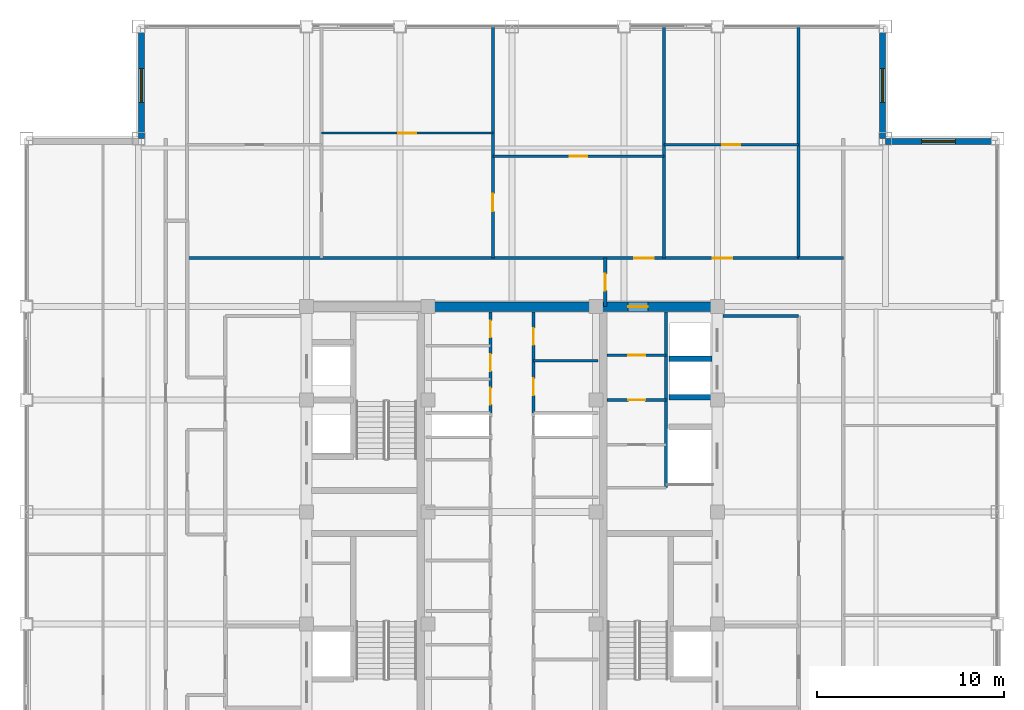
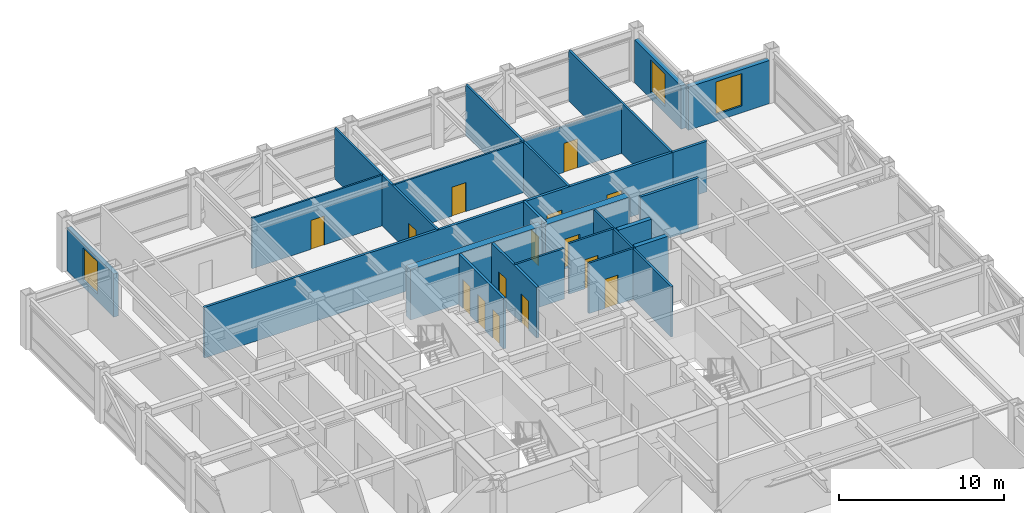
# One storey, part 27 of 29: 23 walls, 15 doors, 3 windows, 18 openings.
"""IFC4 building model written with IfcOpenShell, lengths in metres."""

from ifc_helpers import new_model, si_unit, direction, frame, frame_2d, origin, place, context, subcontext, project, spatial, rectangle, extrude, source, transform, mapped, material, layer, layer_set, type_object, element, fill, save


model = new_model("IFC4")

# Units and contexts
model_context = context("Model", 3, precision=1e-05, world=origin(), true_north=direction((0.0, 1.0)))
body_context = subcontext(model_context, "Body", "Model", "MODEL_VIEW")
ifc_project = project(units=[si_unit("LENGTHUNIT", "METRE"), si_unit("AREAUNIT", "SQUARE_METRE"), si_unit("VOLUMEUNIT", "CUBIC_METRE"), si_unit("PLANEANGLEUNIT", "RADIAN"), si_unit("MASSUNIT", "GRAM", prefix="KILO")], contexts=[model_context])

# Site, building, storey
site_placement = place(None, origin())
site = spatial("IfcSite", under=ifc_project, at=site_placement, CompositionType="ELEMENT")
building_placement = place(site_placement, origin())
building = spatial("IfcBuilding", under=site, at=building_placement, Name="Khorayat Bourse Tower", CompositionType="ELEMENT")
storey_placement = place(building_placement, frame((0.0, 0.0, 358.300048828125)))
storey = spatial("IfcBuildingStorey", under=building, at=storey_placement, Name="L85", CompositionType="ELEMENT", Elevation=358.300048828125)

# Wall, opening, door
ifc_material_1 = material(Name="Concrete C52/65", Category="concrete")
ifc_layer_1 = layer(ifc_material_1, 0.5)
ifc_layer_set_1 = layer_set([ifc_layer_1], Name="Concrete C52/65")
wall_type_1 = type_object("IfcWallType", Name="WAL-CORE-500", PredefinedType="SHEAR", material=ifc_layer_set_1)
shared_shape_1 = source(origin(), body_context, "Body", "SweptSolid", [
    extrude(rectangle(XDim=5.89990234375, YDim=0.5, at=frame_2d((2.949951171875, 0.0))), origin(), (0.0, 0.0, 1.0), 3.739990234375),
])
wall_1_placement = place(storey_placement, frame((4.85009765625, 11.0, 0.0), z_axis=(0.0, 0.0, 1.0), x_axis=(1.0, 0.0, 0.0)))
wall_1 = element("IfcWall", 1, at=wall_1_placement, inside=storey, type_object=wall_type_1, Name="L85 Core Shear Wall PIER-EN", PredefinedType="SHEAR", context=body_context, shape_type="MappedRepresentation", body=[
    mapped(shared_shape_1, transform((0.0, 0.0, 0.0), scale=1.0)),
])
shared_shape_2 = source(origin(), body_context, "Body", "SweptSolid", [
    extrude(rectangle(XDim=1.050048828125, YDim=2.199951171875, at=frame_2d((0.52490234375, 1.10009765625))), frame((0.0, 0.260009765625, 0.0), z_axis=(0.0, -1.0, 0.0), x_axis=(1.0, 0.0, 0.0)), (0.0, 0.0, 1.0), 0.52001953125),
])
opening_1_placement = place(wall_1_placement, frame((1.375, 0.0, 0.0)))
opening_1 = element("IfcOpeningElement", 2, at=opening_1_placement, cuts=wall_1, Name="Opening DI-04", PredefinedType="OPENING", context=body_context, shape_type="MappedRepresentation", body=[
    mapped(shared_shape_2, transform((0.0, 0.0, 0.0), scale=1.0)),
])
ifc_material_2 = material(Name="Fire-rated oak veneer suite entrance door")
door_type_1 = type_object("IfcDoorType", Name="DR-INT-SUITE-1050", OperationType="NOTDEFINED", PredefinedType="DOOR", material=ifc_material_2)
shared_shape_3 = source(origin(), body_context, "Body", "SweptSolid", [
    extrude(rectangle(XDim=1.050048828125, YDim=2.199951171875, at=frame_2d((0.52490234375, 1.10009765625))), frame((0.0, 0.02490234375, 0.0), z_axis=(0.0, -1.0, 0.0), x_axis=(1.0, 0.0, 0.0)), (0.0, 0.0, 1.0), 0.050048828125),
])
door_1_placement = place(opening_1_placement, origin())
door_1 = element("IfcDoor", 3, at=door_1_placement, inside=storey, type_object=door_type_1, Name="L85 Core Washroom Lobby Door", OperationType="SINGLE_SWING_LEFT", OverallHeight=2.199951171875, OverallWidth=1.050048828125, PredefinedType="DOOR", context=body_context, shape_type="MappedRepresentation", body=[
    mapped(shared_shape_3, transform((0.0, 0.0, 0.0), scale=1.0)),
])
fill(opening_1, door_1)

# Wall
shared_shape_4 = source(origin(), body_context, "Body", "SweptSolid", [
    extrude(rectangle(XDim=9.2001953125, YDim=0.5, at=frame_2d((4.60009765625, 0.0))), origin(), (0.0, 0.0, 1.0), 3.739990234375),
])
wall_2_placement = place(storey_placement, frame((-4.60009765625, 11.0, 0.0), z_axis=(0.0, 0.0, 1.0), x_axis=(1.0, 0.0, 0.0)))
element("IfcWall", 4, at=wall_2_placement, inside=storey, type_object=wall_type_1, Name="L85 Core Shear Wall CORE-N", PredefinedType="SHEAR", context=body_context, shape_type="MappedRepresentation", body=[
    mapped(shared_shape_4, transform((0.0, 0.0, 0.0), scale=1.0)),
])

# Wall, opening, window
ifc_material_3 = material(Name="Precast concrete C45/55", Category="concrete")
ifc_layer_2 = layer(ifc_material_3, 0.320068359375)
ifc_layer_set_2 = layer_set([ifc_layer_2], Name="Precast concrete C45/55")
wall_type_2 = type_object("IfcWallType", Name="WAL-EXT-STONE-320", PredefinedType="STANDARD", material=ifc_layer_set_2)
shared_shape_5 = source(origin(), body_context, "Body", "SweptSolid", [
    extrude(rectangle(XDim=5.679931640625, YDim=0.320068359375, at=frame_2d((2.83984375, 0.0))), origin(), (0.0, 0.0, 1.0), 3.19091796875),
])
wall_3_placement = place(storey_placement, frame((20.0, 19.840087890625, 0.0), z_axis=(0.0, 0.0, 1.0), x_axis=(1.0, 0.0, 0.0)))
wall_3 = element("IfcWall", 5, at=wall_3_placement, inside=storey, type_object=wall_type_2, Name="L85 Re-Entrant Notch Limestone Wall NE-H", PredefinedType="STANDARD", context=body_context, shape_type="MappedRepresentation", body=[
    mapped(shared_shape_5, transform((0.0, 0.0, 0.0), scale=1.0)),
])
shared_shape_6 = source(origin(), body_context, "Body", "SweptSolid", [
    extrude(rectangle(XDim=1.800048828125, YDim=2.39990234375, at=frame_2d((0.89990234375, 1.199951171875))), frame((0.0, 0.169921875, 0.0), z_axis=(0.0, -1.0, 0.0), x_axis=(1.0, 0.0, 0.0)), (0.0, 0.0, 1.0), 0.340087890625),
])
opening_2_placement = place(wall_3_placement, frame((1.93994140625, 0.0, 0.5)))
opening_2 = element("IfcOpeningElement", 6, at=opening_2_placement, cuts=wall_3, Name="Opening WN-04", PredefinedType="OPENING", context=body_context, shape_type="MappedRepresentation", body=[
    mapped(shared_shape_6, transform((0.0, 0.0, 0.0), scale=1.0)),
])
ifc_material_4 = material(Name="Low-E acoustic laminated double glazing", Category="glass")
window_type = type_object("IfcWindowType", Name="WIN-NOTCH-1800x2400", PartitioningType="SINGLE_PANEL", PredefinedType="WINDOW", material=ifc_material_4)
shared_shape_7 = source(origin(), body_context, "Body", "SweptSolid", [
    extrude(rectangle(XDim=1.800048828125, YDim=2.39990234375, at=frame_2d((0.89990234375, 1.199951171875))), frame((0.0, 0.030029296875, 0.0), z_axis=(0.0, -1.0, 0.0), x_axis=(1.0, 0.0, 0.0)), (0.0, 0.0, 1.0), 0.06005859375),
])
window_1_placement = place(opening_2_placement, origin())
window_1 = element("IfcWindow", 7, at=window_1_placement, inside=storey, type_object=window_type, Name="L85 Facade Window 1", OverallHeight=2.39990234375, OverallWidth=1.800048828125, PartitioningType="SINGLE_PANEL", PredefinedType="WINDOW", context=body_context, shape_type="MappedRepresentation", body=[
    mapped(shared_shape_7, transform((0.0, 0.0, 0.0), scale=1.0)),
])
fill(opening_2, window_1)

wall_4_placement = place(storey_placement, frame((19.840087890625, 20.0, 0.0), z_axis=(0.0, 0.0, 1.0), x_axis=(0.0, 1.0, 0.0)))
wall_4 = element("IfcWall", 8, at=wall_4_placement, inside=storey, type_object=wall_type_2, Name="L85 Re-Entrant Notch Limestone Wall NE-V", PredefinedType="STANDARD", context=body_context, shape_type="MappedRepresentation", body=[
    mapped(shared_shape_5, transform((0.0, 0.0, 0.0), scale=1.0)),
])
opening_3_placement = place(wall_4_placement, frame((1.93994140625, 0.0, 0.5)))
opening_3 = element("IfcOpeningElement", 9, at=opening_3_placement, cuts=wall_4, Name="Opening WN-04", PredefinedType="OPENING", context=body_context, shape_type="MappedRepresentation", body=[
    mapped(shared_shape_6, transform((0.0, 0.0, 0.0), scale=1.0)),
])
window_2_placement = place(opening_3_placement, origin())
window_2 = element("IfcWindow", 10, at=window_2_placement, inside=storey, type_object=window_type, Name="L85 Facade Window 1", OverallHeight=2.39990234375, OverallWidth=1.800048828125, PartitioningType="SINGLE_PANEL", PredefinedType="WINDOW", context=body_context, shape_type="MappedRepresentation", body=[
    mapped(shared_shape_7, transform((0.0, 0.0, 0.0), scale=1.0)),
])
fill(opening_3, window_2)

wall_5_placement = place(storey_placement, frame((-19.840087890625, 20.0, 0.0), z_axis=(0.0, 0.0, 1.0), x_axis=(0.0, 1.0, 0.0)))
wall_5 = element("IfcWall", 11, at=wall_5_placement, inside=storey, type_object=wall_type_2, Name="L85 Re-Entrant Notch Limestone Wall NW-V", PredefinedType="STANDARD", context=body_context, shape_type="MappedRepresentation", body=[
    mapped(shared_shape_5, transform((0.0, 0.0, 0.0), scale=1.0)),
])
opening_4_placement = place(wall_5_placement, frame((1.93994140625, 0.0, 0.5)))
opening_4 = element("IfcOpeningElement", 12, at=opening_4_placement, cuts=wall_5, Name="Opening WN-04", PredefinedType="OPENING", context=body_context, shape_type="MappedRepresentation", body=[
    mapped(shared_shape_6, transform((0.0, 0.0, 0.0), scale=1.0)),
])
window_3_placement = place(opening_4_placement, origin())
window_3 = element("IfcWindow", 13, at=window_3_placement, inside=storey, type_object=window_type, Name="L85 Facade Window 1", OverallHeight=2.39990234375, OverallWidth=1.800048828125, PartitioningType="SINGLE_PANEL", PredefinedType="WINDOW", context=body_context, shape_type="MappedRepresentation", body=[
    mapped(shared_shape_7, transform((0.0, 0.0, 0.0), scale=1.0)),
])
fill(opening_4, window_3)

# Walls
ifc_material_5 = material(Name="Concrete C50/60", Category="concrete")
ifc_layer_3 = layer(ifc_material_5, 0.300048828125)
ifc_layer_set_3 = layer_set([ifc_layer_3], Name="Concrete C50/60")
wall_type_3 = type_object("IfcWallType", Name="WAL-SHAFT-300", PredefinedType="SHEAR", material=ifc_layer_set_3)
shared_shape_8 = source(origin(), body_context, "Body", "SweptSolid", [
    extrude(rectangle(XDim=2.300048828125, YDim=0.300048828125, at=frame_2d((1.14990234375, 0.0))), origin(), (0.0, 0.0, 1.0), 3.739990234375),
])
for number, where, z_axis, x_axis, name in (
    (14, (8.39990234375, 6.14990234375, 0.0), (0.0, 0.0, 1.0), (1.0, 0.0, 0.0), "L85 Partition WAL-L85-EPIER-H3S"),
    (15, (8.39990234375, 8.199951171875, 0.0), (0.0, 0.0, 1.0), (1.0, 0.0, 0.0), "L85 Partition WAL-L85-EPIER-H34"),
):
    element("IfcWall", number, at=place(storey_placement, frame(where, z_axis=z_axis, x_axis=x_axis)), inside=storey, type_object=wall_type_3, Name=name, PredefinedType="SHEAR", context=body_context, shape_type="MappedRepresentation", body=[
        mapped(shared_shape_8, transform((0.0, 0.0, 0.0), scale=1.0)),
    ])
ifc_material_6 = material(Name="Moisture-resistant masonry partition", Category="masonry")
ifc_layer_4 = layer(ifc_material_6, 0.139892578125)
ifc_layer_set_4 = layer_set([ifc_layer_4], Name="Moisture-resistant masonry partition")
wall_type_4 = type_object("IfcWallType", Name="WAL-PART-WET-140", PredefinedType="PARTITIONING", material=ifc_layer_set_4)
shared_shape_9 = source(origin(), body_context, "Body", "SweptSolid", [
    extrude(rectangle(XDim=9.39990234375, YDim=0.139892578125, at=frame_2d((4.699951171875, 0.0))), origin(), (0.0, 0.0, 1.0), 3.739990234375),
])
wall_6_placement = place(storey_placement, frame((8.25, 1.300048828125, 0.0), z_axis=(0.0, 0.0, 1.0), x_axis=(0.0, 1.0, 0.0)))
element("IfcWall", 16, at=wall_6_placement, inside=storey, type_object=wall_type_4, Name="L85 Partition WAL-L85-ECORE-E", PredefinedType="PARTITIONING", context=body_context, shape_type="MappedRepresentation", body=[
    mapped(shared_shape_9, transform((0.0, 0.0, 0.0), scale=1.0)),
])

# Wall, opening, door
shared_shape_10 = source(origin(), body_context, "Body", "SweptSolid", [
    extrude(rectangle(XDim=3.14990234375, YDim=0.139892578125, at=frame_2d((1.574951171875, 0.0))), origin(), (0.0, 0.0, 1.0), 3.739990234375),
])
wall_7_placement = place(storey_placement, frame((5.10009765625, 8.39990234375, 0.0), z_axis=(0.0, 0.0, 1.0), x_axis=(1.0, 0.0, 0.0)))
wall_7 = element("IfcWall", 17, at=wall_7_placement, inside=storey, type_object=wall_type_4, Name="L85 Partition WAL-L85-ECW-TOP", PredefinedType="PARTITIONING", context=body_context, shape_type="MappedRepresentation", body=[
    mapped(shared_shape_10, transform((0.0, 0.0, 0.0), scale=1.0)),
])
shared_shape_11 = source(origin(), body_context, "Body", "SweptSolid", [
    extrude(rectangle(XDim=0.89990234375, YDim=2.14990234375, at=frame_2d((0.449951171875, 1.074951171875))), frame((0.0, 0.079833984375, 0.0), z_axis=(0.0, -1.0, 0.0), x_axis=(1.0, 0.0, 0.0)), (0.0, 0.0, 1.0), 0.159912109375),
])
opening_5_placement = place(wall_7_placement, frame((1.1298828125, 0.0, 0.0)))
opening_5 = element("IfcOpeningElement", 18, at=opening_5_placement, cuts=wall_7, Name="Opening DI-06", PredefinedType="OPENING", context=body_context, shape_type="MappedRepresentation", body=[
    mapped(shared_shape_11, transform((0.0, 0.0, 0.0), scale=1.0)),
])
ifc_material_7 = material(Name="Moisture-resistant laminate washroom door")
door_type_2 = type_object("IfcDoorType", Name="DR-INT-WC-900", OperationType="NOTDEFINED", PredefinedType="DOOR", material=ifc_material_7)
shared_shape_12 = source(origin(), body_context, "Body", "SweptSolid", [
    extrude(rectangle(XDim=0.89990234375, YDim=2.14990234375, at=frame_2d((0.449951171875, 1.074951171875))), frame((0.0, 0.02490234375, 0.0), z_axis=(0.0, -1.0, 0.0), x_axis=(1.0, 0.0, 0.0)), (0.0, 0.0, 1.0), 0.050048828125),
])
door_2_placement = place(opening_5_placement, origin())
door_2 = element("IfcDoor", 19, at=door_2_placement, inside=storey, type_object=door_type_2, Name="L85 Accessible WC Door", OperationType="SINGLE_SWING_LEFT", OverallHeight=2.14990234375, OverallWidth=0.89990234375, PredefinedType="DOOR", context=body_context, shape_type="MappedRepresentation", body=[
    mapped(shared_shape_12, transform((0.0, 0.0, 0.0), scale=1.0)),
])
fill(opening_5, door_2)

wall_8_placement = place(storey_placement, frame((5.10009765625, 6.0, 0.0), z_axis=(0.0, 0.0, 1.0), x_axis=(1.0, 0.0, 0.0)))
wall_8 = element("IfcWall", 20, at=wall_8_placement, inside=storey, type_object=wall_type_4, Name="L85 Partition WAL-L85-ECW-H1", PredefinedType="PARTITIONING", context=body_context, shape_type="MappedRepresentation", body=[
    mapped(shared_shape_10, transform((0.0, 0.0, 0.0), scale=1.0)),
])
opening_6_placement = place(wall_8_placement, frame((1.1298828125, 0.0, 0.0)))
opening_6 = element("IfcOpeningElement", 21, at=opening_6_placement, cuts=wall_8, Name="Opening DI-06", PredefinedType="OPENING", context=body_context, shape_type="MappedRepresentation", body=[
    mapped(shared_shape_11, transform((0.0, 0.0, 0.0), scale=1.0)),
])
door_3_placement = place(opening_6_placement, origin())
door_3 = element("IfcDoor", 22, at=door_3_placement, inside=storey, type_object=door_type_2, Name="L85 Shared Washroom Door", OperationType="SINGLE_SWING_RIGHT", OverallHeight=2.14990234375, OverallWidth=0.89990234375, PredefinedType="DOOR", context=body_context, shape_type="MappedRepresentation", body=[
    mapped(shared_shape_12, transform((0.0, 0.0, 0.0), scale=1.0)),
])
fill(opening_6, door_3)

# Walls
ifc_material_8 = material(Name="Gypsum plasterboard acoustic stud wall")
ifc_layer_5 = layer(ifc_material_8, 0.179931640625)
ifc_layer_set_5 = layer_set([ifc_layer_5], Name="Gypsum plasterboard acoustic stud wall")
wall_type_5 = type_object("IfcWallType", Name="WAL-PART-CORR-180", PredefinedType="PARTITIONING", material=ifc_layer_set_5)
shared_shape_13 = source(origin(), body_context, "Body", "SweptSolid", [
    extrude(rectangle(XDim=4.050048828125, YDim=0.179931640625, at=frame_2d((2.02490234375, 0.0))), origin(), (0.0, 0.0, 1.0), 3.739990234375),
])
wall_9_placement = place(storey_placement, frame((11.300048828125, 10.5, 0.0), z_axis=(0.0, 0.0, 1.0), x_axis=(1.0, 0.0, 0.0)))
element("IfcWall", 23, at=wall_9_placement, inside=storey, type_object=wall_type_5, Name="L85 Partition WAL-L85-ELOB-N", PredefinedType="PARTITIONING", context=body_context, shape_type="MappedRepresentation", body=[
    mapped(shared_shape_13, transform((0.0, 0.0, 0.0), scale=1.0)),
])
shared_shape_14 = source(origin(), body_context, "Body", "SweptSolid", [
    extrude(rectangle(XDim=3.4501953125, YDim=0.139892578125, at=frame_2d((1.72509765625, 0.0))), origin(), (0.0, 0.0, 1.0), 3.739990234375),
])
wall_10_placement = place(storey_placement, frame((1.14990234375, 8.10009765625, 0.0), z_axis=(0.0, 0.0, 1.0), x_axis=(1.0, 0.0, 0.0)))
element("IfcWall", 24, at=wall_10_placement, inside=storey, type_object=wall_type_4, Name="L85 Partition WAL-L85-FB2E-D1", PredefinedType="PARTITIONING", context=body_context, shape_type="MappedRepresentation", body=[
    mapped(shared_shape_14, transform((0.0, 0.0, 0.0), scale=1.0)),
])

# Wall, openings, doors
shared_shape_15 = source(origin(), body_context, "Body", "SweptSolid", [
    extrude(rectangle(XDim=5.39990234375, YDim=0.179931640625, at=frame_2d((2.699951171875, 0.0))), origin(), (0.0, 0.0, 1.0), 3.739990234375),
])
wall_11_placement = place(storey_placement, frame((-1.14990234375, 5.300048828125, 0.0), z_axis=(0.0, 0.0, 1.0), x_axis=(0.0, 1.0, 0.0)))
wall_11 = element("IfcWall", 25, at=wall_11_placement, inside=storey, type_object=wall_type_5, Name="L85 Partition WAL-L85-FB2W-L", PredefinedType="PARTITIONING", context=body_context, shape_type="MappedRepresentation", body=[
    mapped(shared_shape_15, transform((0.0, 0.0, 0.0), scale=1.0)),
])
shared_shape_16 = source(origin(), body_context, "Body", "SweptSolid", [
    extrude(rectangle(XDim=0.89990234375, YDim=2.14990234375, at=frame_2d((0.449951171875, 1.074951171875))), frame((0.0, 0.099853515625, 0.0), z_axis=(0.0, -1.0, 0.0), x_axis=(1.0, 0.0, 0.0)), (0.0, 0.0, 1.0), 0.199951171875),
])
opening_7_placement = place(wall_11_placement, frame((0.449951171875, 0.0, 0.0)))
opening_7 = element("IfcOpeningElement", 26, at=opening_7_placement, cuts=wall_11, Name="Opening DI-06", PredefinedType="OPENING", context=body_context, shape_type="MappedRepresentation", body=[
    mapped(shared_shape_16, transform((0.0, 0.0, 0.0), scale=1.0)),
])
opening_8_placement = place(wall_11_placement, frame((2.25, 0.0, 0.0)))
opening_8 = element("IfcOpeningElement", 27, at=opening_8_placement, cuts=wall_11, Name="Opening DI-06", PredefinedType="OPENING", context=body_context, shape_type="MappedRepresentation", body=[
    mapped(shared_shape_16, transform((0.0, 0.0, 0.0), scale=1.0)),
])
opening_9_placement = place(wall_11_placement, frame((4.050048828125, 0.0, 0.0)))
opening_9 = element("IfcOpeningElement", 28, at=opening_9_placement, cuts=wall_11, Name="Opening DI-06", PredefinedType="OPENING", context=body_context, shape_type="MappedRepresentation", body=[
    mapped(shared_shape_16, transform((0.0, 0.0, 0.0), scale=1.0)),
])
door_4_placement = place(opening_7_placement, origin())
door_4 = element("IfcDoor", 29, at=door_4_placement, inside=storey, type_object=door_type_2, Name="L85 Custody Vault A Door", OperationType="SINGLE_SWING_RIGHT", OverallHeight=2.14990234375, OverallWidth=0.89990234375, PredefinedType="DOOR", context=body_context, shape_type="MappedRepresentation", body=[
    mapped(shared_shape_12, transform((0.0, 0.0, 0.0), scale=1.0)),
])
fill(opening_7, door_4)
door_5_placement = place(opening_8_placement, origin())
door_5 = element("IfcDoor", 30, at=door_5_placement, inside=storey, type_object=door_type_2, Name="L85 Fiber Patch Room Door", OperationType="SINGLE_SWING_LEFT", OverallHeight=2.14990234375, OverallWidth=0.89990234375, PredefinedType="DOOR", context=body_context, shape_type="MappedRepresentation", body=[
    mapped(shared_shape_12, transform((0.0, 0.0, 0.0), scale=1.0)),
])
fill(opening_8, door_5)
door_6_placement = place(opening_9_placement, origin())
door_6 = element("IfcDoor", 31, at=door_6_placement, inside=storey, type_object=door_type_2, Name="L85 Custody Vault B Door", OperationType="SINGLE_SWING_RIGHT", OverallHeight=2.14990234375, OverallWidth=0.89990234375, PredefinedType="DOOR", context=body_context, shape_type="MappedRepresentation", body=[
    mapped(shared_shape_12, transform((0.0, 0.0, 0.0), scale=1.0)),
])
fill(opening_9, door_6)

wall_12_placement = place(storey_placement, frame((1.14990234375, 5.300048828125, 0.0), z_axis=(0.0, 0.0, 1.0), x_axis=(0.0, 1.0, 0.0)))
wall_12 = element("IfcWall", 32, at=wall_12_placement, inside=storey, type_object=wall_type_5, Name="L85 Partition WAL-L85-FB2E-L", PredefinedType="PARTITIONING", context=body_context, shape_type="MappedRepresentation", body=[
    mapped(shared_shape_15, transform((0.0, 0.0, 0.0), scale=1.0)),
])
opening_10_placement = place(wall_12_placement, frame((0.949951171875, 0.0, 0.0)))
opening_10 = element("IfcOpeningElement", 33, at=opening_10_placement, cuts=wall_12, Name="Opening DI-06", PredefinedType="OPENING", context=body_context, shape_type="MappedRepresentation", body=[
    mapped(shared_shape_16, transform((0.0, 0.0, 0.0), scale=1.0)),
])
opening_11_placement = place(wall_12_placement, frame((3.64990234375, 0.0, 0.0)))
opening_11 = element("IfcOpeningElement", 34, at=opening_11_placement, cuts=wall_12, Name="Opening DI-06", PredefinedType="OPENING", context=body_context, shape_type="MappedRepresentation", body=[
    mapped(shared_shape_16, transform((0.0, 0.0, 0.0), scale=1.0)),
])
door_7_placement = place(opening_10_placement, origin())
door_7 = element("IfcDoor", 35, at=door_7_placement, inside=storey, type_object=door_type_2, Name="L85 Core Pantry Store Door", OperationType="SINGLE_SWING_RIGHT", OverallHeight=2.14990234375, OverallWidth=0.89990234375, PredefinedType="DOOR", context=body_context, shape_type="MappedRepresentation", body=[
    mapped(shared_shape_12, transform((0.0, 0.0, 0.0), scale=1.0)),
])
fill(opening_10, door_7)
door_8_placement = place(opening_11_placement, origin())
door_8 = element("IfcDoor", 36, at=door_8_placement, inside=storey, type_object=door_type_2, Name="L85 Chilled Riser Room Door", OperationType="SINGLE_SWING_LEFT", OverallHeight=2.14990234375, OverallWidth=0.89990234375, PredefinedType="DOOR", context=body_context, shape_type="MappedRepresentation", body=[
    mapped(shared_shape_12, transform((0.0, 0.0, 0.0), scale=1.0)),
])
fill(opening_11, door_8)

# Wall, opening, door
shared_shape_17 = source(origin(), body_context, "Body", "SweptSolid", [
    extrude(rectangle(XDim=2.60009765625, YDim=0.179931640625, at=frame_2d((1.300048828125, 0.0))), origin(), (0.0, 0.0, 1.0), 3.739990234375),
])
wall_13_placement = place(storey_placement, frame((5.0, 11.0, 0.0), z_axis=(0.0, 0.0, 1.0), x_axis=(0.0, 1.0, 0.0)))
wall_13 = element("IfcWall", 37, at=wall_13_placement, inside=storey, type_object=wall_type_5, Name="L85 Partition WAL-L85-CORRNE-W", PredefinedType="PARTITIONING", context=body_context, shape_type="MappedRepresentation", body=[
    mapped(shared_shape_17, transform((0.0, 0.0, 0.0), scale=1.0)),
])
opening_12_placement = place(wall_13_placement, frame((0.85009765625, 0.0, 0.0)))
opening_12 = element("IfcOpeningElement", 38, at=opening_12_placement, cuts=wall_13, Name="Opening DI-06", PredefinedType="OPENING", context=body_context, shape_type="MappedRepresentation", body=[
    mapped(shared_shape_16, transform((0.0, 0.0, 0.0), scale=1.0)),
])
door_9_placement = place(opening_12_placement, origin())
door_9 = element("IfcDoor", 39, at=door_9_placement, inside=storey, type_object=door_type_2, Name="L85 North Core Pantry Door", OperationType="SINGLE_SWING_LEFT", OverallHeight=2.14990234375, OverallWidth=0.89990234375, PredefinedType="DOOR", context=body_context, shape_type="MappedRepresentation", body=[
    mapped(shared_shape_12, transform((0.0, 0.0, 0.0), scale=1.0)),
])
fill(opening_12, door_9)

# Wall
shared_shape_18 = source(origin(), body_context, "Body", "SweptSolid", [
    extrude(rectangle(XDim=2.39990234375, YDim=0.179931640625, at=frame_2d((1.199951171875, 0.0))), origin(), (0.0, 0.0, 1.0), 3.739990234375),
])
wall_14_placement = place(storey_placement, frame((15.35009765625, 13.60009765625, 0.0), z_axis=(0.0, 0.0, 1.0), x_axis=(1.0, 0.0, 0.0)))
element("IfcWall", 40, at=wall_14_placement, inside=storey, type_object=wall_type_5, Name="L85 Partition WAL-L85-GALE-N", PredefinedType="PARTITIONING", context=body_context, shape_type="MappedRepresentation", body=[
    mapped(shared_shape_18, transform((0.0, 0.0, 0.0), scale=1.0)),
])

# Wall, opening, door
ifc_material_9 = material(Name="Gypsum plasterboard twin-frame partition")
ifc_layer_6 = layer(ifc_material_9, 0.14990234375)
ifc_layer_set_6 = layer_set([ifc_layer_6], Name="Gypsum plasterboard twin-frame partition")
wall_type_6 = type_object("IfcWallType", Name="WAL-PART-SUITE-150", PredefinedType="PARTITIONING", material=ifc_layer_set_6)
shared_shape_19 = source(origin(), body_context, "Body", "SweptSolid", [
    extrude(rectangle(XDim=12.39990234375, YDim=0.14990234375, at=frame_2d((6.199951171875, 0.0))), origin(), (0.0, 0.0, 1.0), 3.739990234375),
])
wall_15_placement = place(storey_placement, frame((-1.02490234375, 13.60009765625, 0.0), z_axis=(0.0, 0.0, 1.0), x_axis=(0.0, 1.0, 0.0)))
wall_15 = element("IfcWall", 41, at=wall_15_placement, inside=storey, type_object=wall_type_6, Name="L85 Partition WAL-L85-NDV-2", PredefinedType="PARTITIONING", context=body_context, shape_type="MappedRepresentation", body=[
    mapped(shared_shape_19, transform((0.0, 0.0, 0.0), scale=1.0)),
])
shared_shape_20 = source(origin(), body_context, "Body", "SweptSolid", [
    extrude(rectangle(XDim=0.949951171875, YDim=2.14990234375, at=frame_2d((0.47509765625, 1.074951171875))), frame((0.0, 0.0849609375, 0.0), z_axis=(0.0, -1.0, 0.0), x_axis=(1.0, 0.0, 0.0)), (0.0, 0.0, 1.0), 0.169921875),
])
opening_13_placement = place(wall_15_placement, frame((2.5009765625, 0.0, 0.0)))
opening_13 = element("IfcOpeningElement", 42, at=opening_13_placement, cuts=wall_15, Name="Opening DI-05", PredefinedType="OPENING", context=body_context, shape_type="MappedRepresentation", body=[
    mapped(shared_shape_20, transform((0.0, 0.0, 0.0), scale=1.0)),
])
ifc_material_10 = material(Name="Acoustic oak veneer office door")
door_type_3 = type_object("IfcDoorType", Name="DR-INT-OFFICE-950", OperationType="NOTDEFINED", PredefinedType="DOOR", material=ifc_material_10)
shared_shape_21 = source(origin(), body_context, "Body", "SweptSolid", [
    extrude(rectangle(XDim=0.949951171875, YDim=2.14990234375, at=frame_2d((0.47509765625, 1.074951171875))), frame((0.0, 0.02490234375, 0.0), z_axis=(0.0, -1.0, 0.0), x_axis=(1.0, 0.0, 0.0)), (0.0, 0.0, 1.0), 0.050048828125),
])
door_10_placement = place(opening_13_placement, origin())
door_10 = element("IfcDoor", 43, at=door_10_placement, inside=storey, type_object=door_type_3, Name="L85 N Suite Link 2", OperationType="SINGLE_SWING_LEFT", OverallHeight=2.14990234375, OverallWidth=0.949951171875, PredefinedType="DOOR", context=body_context, shape_type="MappedRepresentation", body=[
    mapped(shared_shape_21, transform((0.0, 0.0, 0.0), scale=1.0)),
])
fill(opening_13, door_10)

# Walls
for number, where, z_axis, x_axis, name in (
    (44, (8.14501953125, 13.60009765625, 0.0), (0.0, 0.0, 1.0), (0.0, 1.0, 0.0), "L85 Partition WAL-L85-NDV-3"),
    (45, (15.35009765625, 13.60009765625, 0.0), (0.0, 0.0, 1.0), (0.0, 1.0, 0.0), "L85 Partition WAL-L85-NCE-END"),
):
    element("IfcWall", number, at=place(storey_placement, frame(where, z_axis=z_axis, x_axis=x_axis)), inside=storey, type_object=wall_type_6, Name=name, PredefinedType="PARTITIONING", context=body_context, shape_type="MappedRepresentation", body=[
        mapped(shared_shape_19, transform((0.0, 0.0, 0.0), scale=1.0)),
    ])

# Wall, openings, doors
shared_shape_22 = source(origin(), body_context, "Body", "SweptSolid", [
    extrude(rectangle(XDim=32.75, YDim=0.179931640625, at=frame_2d((16.375, 0.0))), origin(), (0.0, 0.0, 1.0), 3.739990234375),
])
wall_16_placement = place(storey_placement, frame((-17.39990234375, 13.60009765625, 0.0), z_axis=(0.0, 0.0, 1.0), x_axis=(1.0, 0.0, 0.0)))
wall_16 = element("IfcWall", 46, at=wall_16_placement, inside=storey, type_object=wall_type_5, Name="L85 Partition WAL-L85-NCORR", PredefinedType="PARTITIONING", context=body_context, shape_type="MappedRepresentation", body=[
    mapped(shared_shape_22, transform((0.0, 0.0, 0.0), scale=1.0)),
])
shared_shape_23 = source(origin(), body_context, "Body", "SweptSolid", [
    extrude(rectangle(XDim=1.050048828125, YDim=2.199951171875, at=frame_2d((0.52490234375, 1.10009765625))), frame((0.0, 0.099853515625, 0.0), z_axis=(0.0, -1.0, 0.0), x_axis=(1.0, 0.0, 0.0)), (0.0, 0.0, 1.0), 0.199951171875),
])
opening_14_placement = place(wall_16_placement, frame((23.947509765625, 0.0, 0.0)))
opening_14 = element("IfcOpeningElement", 47, at=opening_14_placement, cuts=wall_16, Name="Opening DI-04", PredefinedType="OPENING", context=body_context, shape_type="MappedRepresentation", body=[
    mapped(shared_shape_23, transform((0.0, 0.0, 0.0), scale=1.0)),
])
opening_15_placement = place(wall_16_placement, frame((28.1474609375, 0.0, 0.0)))
opening_15 = element("IfcOpeningElement", 48, at=opening_15_placement, cuts=wall_16, Name="Opening DI-04", PredefinedType="OPENING", context=body_context, shape_type="MappedRepresentation", body=[
    mapped(shared_shape_23, transform((0.0, 0.0, 0.0), scale=1.0)),
])
door_11_placement = place(opening_14_placement, origin())
door_11 = element("IfcDoor", 49, at=door_11_placement, inside=storey, type_object=door_type_1, Name="L85 Market Risk Analytics Workspace N3 Door", OperationType="SINGLE_SWING_RIGHT", OverallHeight=2.199951171875, OverallWidth=1.050048828125, PredefinedType="DOOR", context=body_context, shape_type="MappedRepresentation", body=[
    mapped(shared_shape_3, transform((0.0, 0.0, 0.0), scale=1.0)),
])
fill(opening_14, door_11)
door_12_placement = place(opening_15_placement, origin())
door_12 = element("IfcDoor", 50, at=door_12_placement, inside=storey, type_object=door_type_1, Name="L85 Clearing Operations Office N4 Door", OperationType="SINGLE_SWING_LEFT", OverallHeight=2.199951171875, OverallWidth=1.050048828125, PredefinedType="DOOR", context=body_context, shape_type="MappedRepresentation", body=[
    mapped(shared_shape_3, transform((0.0, 0.0, 0.0), scale=1.0)),
])
fill(opening_15, door_12)

# Wall, opening, door
ifc_material_11 = material(Name="Gypsum plasterboard partition")
ifc_layer_7 = layer(ifc_material_11, 0.125)
ifc_layer_set_7 = layer_set([ifc_layer_7], Name="Gypsum plasterboard partition")
wall_type_7 = type_object("IfcWallType", Name="WAL-PART-ROOM-125", PredefinedType="PARTITIONING", material=ifc_layer_set_7)
shared_shape_24 = source(origin(), body_context, "Body", "SweptSolid", [
    extrude(rectangle(XDim=9.170166015625, YDim=0.125, at=frame_2d((4.5849609375, 0.0))), origin(), (0.0, 0.0, 1.0), 3.739990234375),
])
wall_17_placement = place(storey_placement, frame((-10.195068359375, 20.2958984375, 0.0), z_axis=(0.0, 0.0, 1.0), x_axis=(1.0, 0.0, 0.0)))
wall_17 = element("IfcWall", 51, at=wall_17_placement, inside=storey, type_object=wall_type_7, Name="L85 Partition WAL-L85-NDP-2", PredefinedType="PARTITIONING", context=body_context, shape_type="MappedRepresentation", body=[
    mapped(shared_shape_24, transform((0.0, 0.0, 0.0), scale=1.0)),
])
shared_shape_25 = source(origin(), body_context, "Body", "SweptSolid", [
    extrude(rectangle(XDim=0.949951171875, YDim=2.14990234375, at=frame_2d((0.47509765625, 1.074951171875))), frame((0.0, 0.072509765625, 0.0), z_axis=(0.0, -1.0, 0.0), x_axis=(1.0, 0.0, 0.0)), (0.0, 0.0, 1.0), 0.14501953125),
])
opening_16_placement = place(wall_17_placement, frame((4.110107421875, 0.0, 0.0)))
opening_16 = element("IfcOpeningElement", 52, at=opening_16_placement, cuts=wall_17, Name="Opening DI-05", PredefinedType="OPENING", context=body_context, shape_type="MappedRepresentation", body=[
    mapped(shared_shape_25, transform((0.0, 0.0, 0.0), scale=1.0)),
])
door_13_placement = place(opening_16_placement, origin())
door_13 = element("IfcDoor", 53, at=door_13_placement, inside=storey, type_object=door_type_3, Name="L85 Clearing Operations Office N2B Door", OperationType="SINGLE_SWING_LEFT", OverallHeight=2.14990234375, OverallWidth=0.949951171875, PredefinedType="DOOR", context=body_context, shape_type="MappedRepresentation", body=[
    mapped(shared_shape_21, transform((0.0, 0.0, 0.0), scale=1.0)),
])
fill(opening_16, door_13)

shared_shape_26 = source(origin(), body_context, "Body", "SweptSolid", [
    extrude(rectangle(XDim=9.169921875, YDim=0.125, at=frame_2d((4.5849609375, 0.0))), origin(), (0.0, 0.0, 1.0), 3.739990234375),
])
wall_18_placement = place(storey_placement, frame((-1.02490234375, 19.055908203125, 0.0), z_axis=(0.0, 0.0, 1.0), x_axis=(1.0, 0.0, 0.0)))
wall_18 = element("IfcWall", 54, at=wall_18_placement, inside=storey, type_object=wall_type_7, Name="L85 Partition WAL-L85-NDP-3", PredefinedType="PARTITIONING", context=body_context, shape_type="MappedRepresentation", body=[
    mapped(shared_shape_26, transform((0.0, 0.0, 0.0), scale=1.0)),
])
opening_17_placement = place(wall_18_placement, frame((4.110107421875, 0.0, 0.0)))
opening_17 = element("IfcOpeningElement", 55, at=opening_17_placement, cuts=wall_18, Name="Opening DI-05", PredefinedType="OPENING", context=body_context, shape_type="MappedRepresentation", body=[
    mapped(shared_shape_25, transform((0.0, 0.0, 0.0), scale=1.0)),
])
door_14_placement = place(opening_17_placement, origin())
door_14 = element("IfcDoor", 56, at=door_14_placement, inside=storey, type_object=door_type_3, Name="L85 Staff Tea Pantry N3B Door", OperationType="SINGLE_SWING_RIGHT", OverallHeight=2.14990234375, OverallWidth=0.949951171875, PredefinedType="DOOR", context=body_context, shape_type="MappedRepresentation", body=[
    mapped(shared_shape_21, transform((0.0, 0.0, 0.0), scale=1.0)),
])
fill(opening_17, door_14)

shared_shape_27 = source(origin(), body_context, "Body", "SweptSolid", [
    extrude(rectangle(XDim=7.205078125, YDim=0.125, at=frame_2d((3.6025390625, 0.0))), origin(), (0.0, 0.0, 1.0), 3.39306640625),
])
wall_19_placement = place(storey_placement, frame((8.14501953125, 19.676025390625, 0.0), z_axis=(0.0, 0.0, 1.0), x_axis=(1.0, 0.0, 0.0)))
wall_19 = element("IfcWall", 57, at=wall_19_placement, inside=storey, type_object=wall_type_7, Name="L85 Partition WAL-L85-NDP-4", PredefinedType="PARTITIONING", context=body_context, shape_type="MappedRepresentation", body=[
    mapped(shared_shape_27, transform((0.0, 0.0, 0.0), scale=1.0)),
])
opening_18_placement = place(wall_19_placement, frame((3.12744140625, 0.0, 0.0)))
opening_18 = element("IfcOpeningElement", 58, at=opening_18_placement, cuts=wall_19, Name="Opening DI-05", PredefinedType="OPENING", context=body_context, shape_type="MappedRepresentation", body=[
    mapped(shared_shape_25, transform((0.0, 0.0, 0.0), scale=1.0)),
])
door_15_placement = place(opening_18_placement, origin())
door_15 = element("IfcDoor", 59, at=door_15_placement, inside=storey, type_object=door_type_3, Name="L85 Executive Boardroom N4B Door", OperationType="SINGLE_SWING_LEFT", OverallHeight=2.14990234375, OverallWidth=0.949951171875, PredefinedType="DOOR", context=body_context, shape_type="MappedRepresentation", body=[
    mapped(shared_shape_21, transform((0.0, 0.0, 0.0), scale=1.0)),
])
fill(opening_18, door_15)

save(model, "model.ifc")
